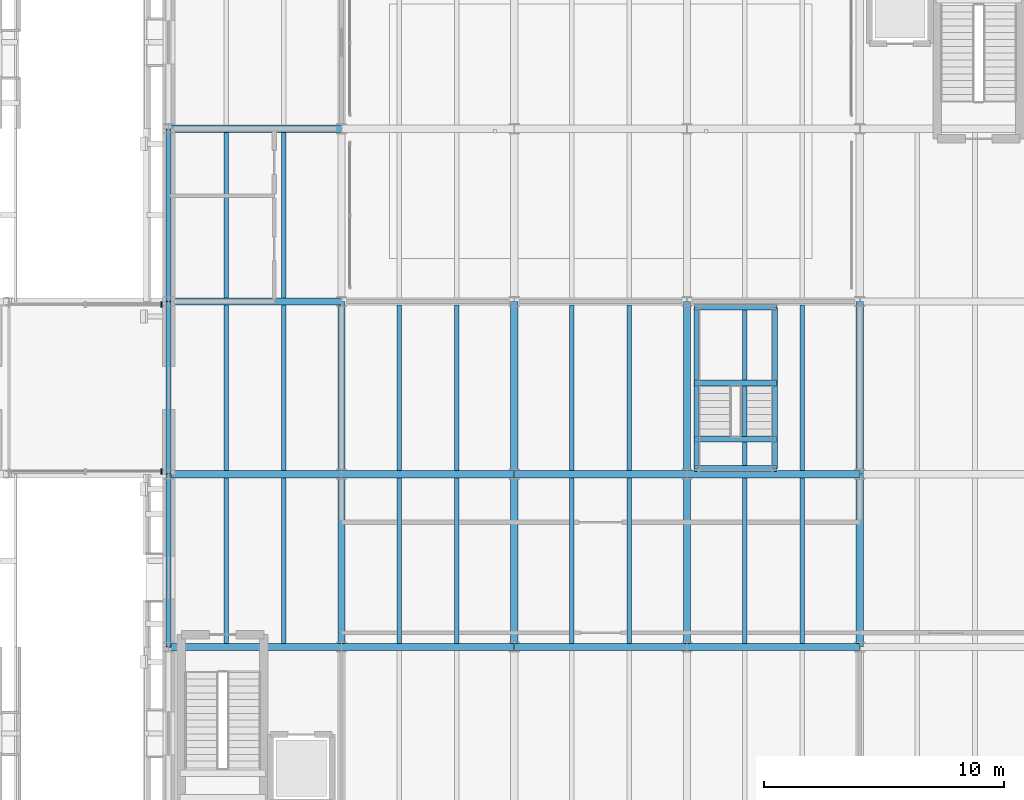
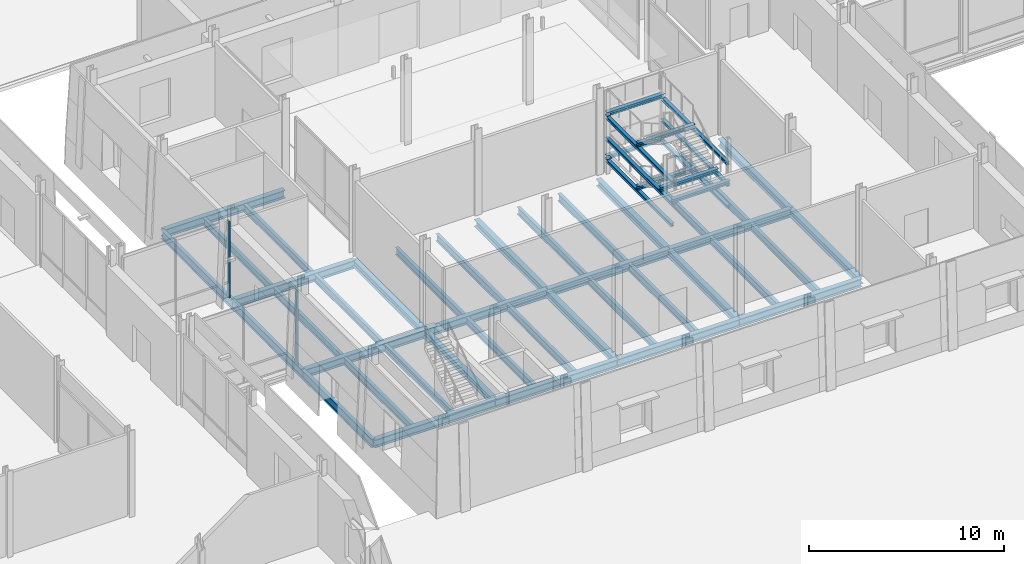
# One storey, part 33 of 120: 51 beams, 2 members, 2 elements without a shape of their own.
"""IFC4 building model written with IfcOpenShell, lengths in metres."""

from ifc_helpers import new_model, si_unit, direction, frame, origin, origin_2d, place, context, subcontext, project, spatial, rectangle, i_section, extrude, material, layer, layer_set, material_profile, profile_set, type_object, element, aggregate, save


model = new_model("IFC4")

# Units and contexts
model_context = context("Model", 3, precision=1e-05, world=origin(), true_north=direction((0.0, 1.0)))
body_context = subcontext(model_context, "Body", "Model", "MODEL_VIEW")
ifc_project = project(units=[si_unit("LENGTHUNIT", "METRE"), si_unit("AREAUNIT", "SQUARE_METRE"), si_unit("VOLUMEUNIT", "CUBIC_METRE"), si_unit("PLANEANGLEUNIT", "RADIAN"), si_unit("MASSUNIT", "GRAM", prefix="KILO")], contexts=[model_context])

# Site, building, storey
site_placement = place(None, origin())
site = spatial("IfcSite", under=ifc_project, at=site_placement, CompositionType="ELEMENT")
building_placement = place(site_placement, origin())
building = spatial("IfcBuilding", under=site, at=building_placement, Name="Narikvali Park Central Library", CompositionType="ELEMENT")
storey_placement = place(building_placement, origin())
storey = spatial("IfcBuildingStorey", under=building, at=storey_placement, Name="L00", CompositionType="ELEMENT", Elevation=0.0)

# Beams
ifc_material_1 = material(Name="Steel S355", Category="steel")
ifc_material_profile_1 = material_profile(ifc_material_1, i_section(OverallWidth=0.19189453125, OverallDepth=0.4560546875, WebThickness=0.010986328125, FlangeThickness=0.017578125, FilletRadius=0.02099609375, at=origin_2d()), Name="IPEO 450")
ifc_profile_set_1 = profile_set([ifc_material_profile_1], Name="Steel S355")
beam_type_1 = type_object("IfcBeamType", Name="Concourse Floor Joist IPEO450", PredefinedType="JOIST", material=ifc_profile_set_1)
for number, where, z_axis, x_axis, name in (
    (1, (67.199951171875, 64.949951171875, -0.548095703125), (0.0, 1.0, 0.0), (-1.0, 0.0, 0.0), "V1 L00 Composite Joist 1"),
    (2, (69.60009765625, 64.949951171875, -0.548095703125), (0.0, 1.0, 0.0), (-1.0, 0.0, 0.0), "V1 L00 Composite Joist 2"),
    (3, (67.199951171875, 72.14990234375, -0.548095703125), (0.0, 1.0, 0.0), (-1.0, 0.0, 0.0), "V1 L00 Composite Joist 1"),
    (4, (69.60009765625, 72.14990234375, -0.548095703125), (0.0, 1.0, 0.0), (-1.0, 0.0, 0.0), "V1 L00 Composite Joist 2"),
):
    element("IfcBeam", number, at=place(storey_placement, frame(where, z_axis=z_axis, x_axis=x_axis)), inside=storey, type_object=beam_type_1, Name=name, PredefinedType="JOIST", context=body_context, shape_type="SweptSolid", body=[
        extrude(i_section(OverallWidth=0.19189453125, OverallDepth=0.4560546875, WebThickness=0.010986328125, FlangeThickness=0.017578125, FilletRadius=0.02099609375, at=origin_2d()), origin(), (0.0, 0.0, 1.0), 6.900146484375),
    ])
for number, where, z_axis, x_axis, name in (
    (5, (67.199951171875, 79.35009765625, -0.548095703125), (0.0, 1.0, 0.0), (-1.0, 0.0, 0.0), "V1 L00 Composite Joist 1"),
    (6, (69.60009765625, 79.35009765625, -0.548095703125), (0.0, 1.0, 0.0), (-1.0, 0.0, 0.0), "V1 L00 Composite Joist 2"),
):
    element("IfcBeam", number, at=place(storey_placement, frame(where, z_axis=z_axis, x_axis=x_axis)), inside=storey, type_object=beam_type_1, Name=name, PredefinedType="JOIST", context=body_context, shape_type="SweptSolid", body=[
        extrude(i_section(OverallWidth=0.19189453125, OverallDepth=0.4560546875, WebThickness=0.010986328125, FlangeThickness=0.017578125, FilletRadius=0.02099609375, at=origin_2d()), origin(), (0.0, 0.0, 1.0), 6.89990234375),
    ])
for number, where, z_axis, x_axis, name in (
    (7, (74.39990234375, 64.949951171875, -0.548095703125), (0.0, 1.0, 0.0), (-1.0, 0.0, 0.0), "V1 L00 Composite Joist 1"),
    (8, (76.800048828125, 64.949951171875, -0.548095703125), (0.0, 1.0, 0.0), (-1.0, 0.0, 0.0), "V1 L00 Composite Joist 2"),
    (9, (74.39990234375, 72.14990234375, -0.548095703125), (0.0, 1.0, 0.0), (-1.0, 0.0, 0.0), "V1 L00 Composite Joist 1"),
    (10, (76.800048828125, 72.14990234375, -0.548095703125), (0.0, 1.0, 0.0), (-1.0, 0.0, 0.0), "V1 L00 Composite Joist 2"),
    (11, (81.60009765625, 64.949951171875, -0.548095703125), (0.0, 1.0, 0.0), (-1.0, 0.0, 0.0), "V1 L00 Composite Joist 1"),
    (12, (84.0, 64.949951171875, -0.548095703125), (0.0, 1.0, 0.0), (-1.0, 0.0, 0.0), "V1 L00 Composite Joist 2"),
    (13, (81.60009765625, 72.14990234375, -0.548095703125), (0.0, 1.0, 0.0), (-1.0, 0.0, 0.0), "V1 L00 Composite Joist 1"),
    (14, (84.0, 72.14990234375, -0.548095703125), (0.0, 1.0, 0.0), (-1.0, 0.0, 0.0), "V1 L00 Composite Joist 2"),
    (15, (88.800048828125, 64.949951171875, -0.548095703125), (0.0, 1.0, 0.0), (-1.0, 0.0, 0.0), "V1 L00 Composite Joist 1"),
    (16, (91.199951171875, 64.949951171875, -0.548095703125), (0.0, 1.0, 0.0), (-1.0, 0.0, 0.0), "V1 L00 Composite Joist 2"),
    (17, (88.800048828125, 72.14990234375, -0.548095703125), (0.0, 1.0, 0.0), (-1.0, 0.0, 0.0), "V1 L00 Composite Joist 1"),
    (18, (91.199951171875, 72.14990234375, -0.548095703125), (0.0, 1.0, 0.0), (-1.0, 0.0, 0.0), "V1 L00 Composite Joist 2"),
):
    element("IfcBeam", number, at=place(storey_placement, frame(where, z_axis=z_axis, x_axis=x_axis)), inside=storey, type_object=beam_type_1, Name=name, PredefinedType="JOIST", context=body_context, shape_type="SweptSolid", body=[
        extrude(i_section(OverallWidth=0.19189453125, OverallDepth=0.4560546875, WebThickness=0.010986328125, FlangeThickness=0.017578125, FilletRadius=0.02099609375, at=origin_2d()), origin(), (0.0, 0.0, 1.0), 6.900146484375),
    ])

# Curtain wall, member
ifc_material_2 = material(Name="Anodised Bronze Aluminium", Category="aluminium")
ifc_layer = layer(ifc_material_2, 0.219970703125, Name="Anodised Bronze Aluminium")
ifc_layer_set = layer_set([ifc_layer], Name="Anodised Bronze Aluminium")
curtain_wall_type = type_object("IfcCurtainWallType", Name="Bridge Covered Passage Glazing System", PredefinedType="NOTDEFINED", material=ifc_layer_set)
curtain_wall_1_placement = place(storey_placement, origin())
curtain_wall_1 = element("IfcCurtainWall", 19, at=curtain_wall_1_placement, inside=storey, type_object=curtain_wall_type, Name="Bridge Covered Passage Glazing System CW-BRG-2-L00-S1", PredefinedType="NOTDEFINED")
ifc_material_profile_2 = material_profile(ifc_material_2, rectangle(XDim=0.074951171875, YDim=0.219970703125, at=origin_2d()), Name="CW MULLION 75x220")
ifc_profile_set_2 = profile_set([ifc_material_profile_2], Name="Anodised Bronze Aluminium")
member_type = type_object("IfcMemberType", Name="Curtain Wall Heavy Mullion 75x220", PredefinedType="MULLION", material=ifc_profile_set_2)
member_1_placement = place(storey_placement, frame((64.5, 72.1201171875, -0.010009765625), z_axis=(0.0, 0.0, 1.0), x_axis=(1.0, 0.0, 0.0)))
member_1 = element("IfcMember", 20, at=member_1_placement, type_object=member_type, Name="CW-BRG-2-L00-S1 Mullion 02", PredefinedType="MULLION", context=body_context, shape_type="SweptSolid", body=[
    extrude(rectangle(XDim=0.074951171875, YDim=0.219970703125, at=origin_2d()), origin(), (0.0, 0.0, 1.0), 4.760009765625),
])
aggregate(curtain_wall_1, [member_1])

curtain_wall_2_placement = place(storey_placement, origin())
curtain_wall_2 = element("IfcCurtainWall", 21, at=curtain_wall_2_placement, inside=storey, type_object=curtain_wall_type, Name="Bridge Covered Passage Glazing System CW-BRG-2-L00-N1", PredefinedType="NOTDEFINED")
member_2_placement = place(storey_placement, frame((64.5, 79.080078125, -0.010009765625), z_axis=(0.0, 0.0, 1.0), x_axis=(1.0, 0.0, 0.0)))
member_2 = element("IfcMember", 22, at=member_2_placement, type_object=member_type, Name="CW-BRG-2-L00-N1 Mullion 02", PredefinedType="MULLION", context=body_context, shape_type="SweptSolid", body=[
    extrude(rectangle(XDim=0.074951171875, YDim=0.219970703125, at=origin_2d()), origin(), (0.0, 0.0, 1.0), 4.760009765625),
])
aggregate(curtain_wall_2, [member_2])

# Beams
ifc_material_profile_3 = material_profile(ifc_material_1, i_section(OverallWidth=0.2099609375, OverallDepth=0.550048828125, WebThickness=0.010986328125, FlangeThickness=0.01708984375, FilletRadius=0.02392578125, at=origin_2d()), Name="IPE 550")
ifc_profile_set_3 = profile_set([ifc_material_profile_3], Name="Steel S355")
beam_type_2 = type_object("IfcBeamType", Name="Perimeter Spandrel IPE550", PredefinedType="SPANDREL", material=ifc_profile_set_3)
for number, where, z_axis, x_axis, name in (
    (23, (64.800048828125, 64.80810546875, -0.594970703125), (0.0, 1.0, 0.0), (-1.0, 0.0, 0.0), "V1 L00 Girder Y"),
    (24, (64.800048828125, 72.008056640625, -0.594970703125), (0.0, 1.0, 0.0), (-1.0, 0.0, 0.0), "V1 L00 Girder Y"),
):
    element("IfcBeam", number, at=place(storey_placement, frame(where, z_axis=z_axis, x_axis=x_axis)), inside=storey, type_object=beam_type_2, Name=name, PredefinedType="SPANDREL", context=body_context, shape_type="SweptSolid", body=[
        extrude(i_section(OverallWidth=0.2099609375, OverallDepth=0.550048828125, WebThickness=0.010986328125, FlangeThickness=0.01708984375, FilletRadius=0.02392578125, at=origin_2d()), origin(), (0.0, 0.0, 1.0), 7.183837890625),
    ])
beam_placement = place(storey_placement, frame((64.800048828125, 79.2080078125, -0.594970703125), z_axis=(0.0, 1.0, 0.0), x_axis=(-1.0, 0.0, 0.0)))
element("IfcBeam", 25, at=beam_placement, inside=storey, type_object=beam_type_2, Name="V1 L00 Girder Y", PredefinedType="SPANDREL", context=body_context, shape_type="SweptSolid", body=[
    extrude(i_section(OverallWidth=0.2099609375, OverallDepth=0.550048828125, WebThickness=0.010986328125, FlangeThickness=0.01708984375, FilletRadius=0.02392578125, at=origin_2d()), origin(), (0.0, 0.0, 1.0), 7.18408203125),
])
ifc_material_profile_4 = material_profile(ifc_material_1, i_section(OverallWidth=0.239990234375, OverallDepth=0.22998046875, WebThickness=0.007568359375, FlangeThickness=0.011962890625, FilletRadius=0.02099609375, at=origin_2d()), Name="HEA 240")
ifc_profile_set_4 = profile_set([ifc_material_profile_4], Name="Steel S355")
beam_type_3 = type_object("IfcBeamType", Name="Primary Girder HEA240", PredefinedType="BEAM", material=ifc_profile_set_4)
for number, where, z_axis, x_axis, name in (
    (26, (86.719970703125, 75.804931640625, 1.034912109375), (1.0, 0.0, 0.0), (0.0, 1.0, 0.0), "ST-13 Landing Trimmer 1-1"),
    (27, (86.719970703125, 78.9599609375, 1.034912109375), (1.0, 0.0, 0.0), (0.0, 1.0, 0.0), "ST-13 Landing Trimmer 1-2"),
    (28, (86.719970703125, 72.239990234375, 2.385009765625), (1.0, 0.0, 0.0), (0.0, 1.0, 0.0), "ST-13 Landing Trimmer 2-1"),
    (29, (86.719970703125, 73.4599609375, 2.385009765625), (1.0, 0.0, 0.0), (0.0, 1.0, 0.0), "ST-13 Landing Trimmer 2-2"),
    (30, (86.719970703125, 75.804931640625, 3.735107421875), (1.0, 0.0, 0.0), (0.0, 1.0, 0.0), "ST-13 Landing Trimmer 3-1"),
    (31, (86.719970703125, 78.9599609375, 3.735107421875), (1.0, 0.0, 0.0), (0.0, 1.0, 0.0), "ST-13 Landing Trimmer 3-2"),
):
    element("IfcBeam", number, at=place(storey_placement, frame(where, z_axis=z_axis, x_axis=x_axis)), inside=storey, type_object=beam_type_3, Name=name, PredefinedType="BEAM", context=body_context, shape_type="SweptSolid", body=[
        extrude(i_section(OverallWidth=0.239990234375, OverallDepth=0.22998046875, WebThickness=0.007568359375, FlangeThickness=0.011962890625, FilletRadius=0.02099609375, at=origin_2d()), origin(), (0.0, 0.0, 1.0), 3.409912109375),
    ])
ifc_material_profile_5 = material_profile(ifc_material_1, i_section(OverallWidth=0.300048828125, OverallDepth=0.43994140625, WebThickness=0.011474609375, FlangeThickness=0.02099609375, FilletRadius=0.027099609375, at=origin_2d()), Name="HEA 450")
ifc_profile_set_5 = profile_set([ifc_material_profile_5], Name="Steel S355")
beam_type_4 = type_object("IfcBeamType", Name="Primary Girder HEA450", PredefinedType="BEAM", material=ifc_profile_set_5)
for number, where, z_axis, x_axis, name in (
    (32, (72.0, 64.80810546875, -0.5400390625), (0.0, 1.0, 0.0), (-1.0, 0.0, 0.0), "V1 L00 Girder Y"),
    (33, (72.0, 72.008056640625, -0.5400390625), (0.0, 1.0, 0.0), (-1.0, 0.0, 0.0), "V1 L00 Girder Y"),
    (34, (79.199951171875, 64.80810546875, -0.5400390625), (0.0, 1.0, 0.0), (-1.0, 0.0, 0.0), "V1 L00 Girder Y"),
    (35, (79.199951171875, 72.008056640625, -0.5400390625), (0.0, 1.0, 0.0), (-1.0, 0.0, 0.0), "V1 L00 Girder Y"),
    (36, (86.39990234375, 64.80810546875, -0.5400390625), (0.0, 1.0, 0.0), (-1.0, 0.0, 0.0), "V1 L00 Girder Y"),
    (37, (86.39990234375, 72.008056640625, -0.5400390625), (0.0, 1.0, 0.0), (-1.0, 0.0, 0.0), "V1 L00 Girder Y"),
    (38, (93.60009765625, 64.80810546875, -0.5400390625), (0.0, 1.0, 0.0), (-1.0, 0.0, 0.0), "V1 L00 Girder Y"),
    (39, (93.60009765625, 72.008056640625, -0.5400390625), (0.0, 1.0, 0.0), (-1.0, 0.0, 0.0), "V1 L00 Girder Y"),
):
    element("IfcBeam", number, at=place(storey_placement, frame(where, z_axis=z_axis, x_axis=x_axis)), inside=storey, type_object=beam_type_4, Name=name, PredefinedType="BEAM", context=body_context, shape_type="SweptSolid", body=[
        extrude(i_section(OverallWidth=0.300048828125, OverallDepth=0.43994140625, WebThickness=0.011474609375, FlangeThickness=0.02099609375, FilletRadius=0.027099609375, at=origin_2d()), origin(), (0.0, 0.0, 1.0), 7.183837890625),
    ])
ifc_material_profile_6 = material_profile(ifc_material_1, i_section(OverallWidth=0.300048828125, OverallDepth=0.5, WebThickness=0.014404296875, FlangeThickness=0.028076171875, FilletRadius=0.027099609375, at=origin_2d()), Name="HEB 500")
ifc_profile_set_6 = profile_set([ifc_material_profile_6], Name="Steel S355")
beam_type_5 = type_object("IfcBeamType", Name="Reading Void Girder HEB500", PredefinedType="BEAM", material=ifc_profile_set_6)
for number, where, z_axis, x_axis, name in (
    (40, (64.80810546875, 64.800048828125, -0.570068359375), (1.0, 0.0, 0.0), (0.0, 1.0, 0.0), "V1 L00 Girder X"),
    (41, (72.008056640625, 64.800048828125, -0.570068359375), (1.0, 0.0, 0.0), (0.0, 1.0, 0.0), "V1 L00 Girder X"),
):
    element("IfcBeam", number, at=place(storey_placement, frame(where, z_axis=z_axis, x_axis=x_axis)), inside=storey, type_object=beam_type_5, Name=name, PredefinedType="BEAM", context=body_context, shape_type="SweptSolid", body=[
        extrude(i_section(OverallWidth=0.300048828125, OverallDepth=0.5, WebThickness=0.014404296875, FlangeThickness=0.028076171875, FilletRadius=0.027099609375, at=origin_2d()), origin(), (0.0, 0.0, 1.0), 7.183837890625),
    ])
for number, where, z_axis, x_axis, name in (
    (42, (79.2080078125, 64.800048828125, -0.570068359375), (1.0, 0.0, 0.0), (0.0, 1.0, 0.0), "V1 L00 Girder X"),
    (43, (86.407958984375, 64.800048828125, -0.570068359375), (1.0, 0.0, 0.0), (0.0, 1.0, 0.0), "V1 L00 Girder X"),
):
    element("IfcBeam", number, at=place(storey_placement, frame(where, z_axis=z_axis, x_axis=x_axis)), inside=storey, type_object=beam_type_5, Name=name, PredefinedType="BEAM", context=body_context, shape_type="SweptSolid", body=[
        extrude(i_section(OverallWidth=0.300048828125, OverallDepth=0.5, WebThickness=0.014404296875, FlangeThickness=0.028076171875, FilletRadius=0.027099609375, at=origin_2d()), origin(), (0.0, 0.0, 1.0), 7.18408203125),
    ])
for number, where, z_axis, x_axis, name in (
    (44, (64.80810546875, 72.0, -0.570068359375), (1.0, 0.0, 0.0), (0.0, 1.0, 0.0), "V1 L00 Girder X"),
    (45, (72.008056640625, 72.0, -0.570068359375), (1.0, 0.0, 0.0), (0.0, 1.0, 0.0), "V1 L00 Girder X"),
):
    element("IfcBeam", number, at=place(storey_placement, frame(where, z_axis=z_axis, x_axis=x_axis)), inside=storey, type_object=beam_type_5, Name=name, PredefinedType="BEAM", context=body_context, shape_type="SweptSolid", body=[
        extrude(i_section(OverallWidth=0.300048828125, OverallDepth=0.5, WebThickness=0.014404296875, FlangeThickness=0.028076171875, FilletRadius=0.027099609375, at=origin_2d()), origin(), (0.0, 0.0, 1.0), 7.183837890625),
    ])
for number, where, z_axis, x_axis, name in (
    (46, (79.2080078125, 72.0, -0.570068359375), (1.0, 0.0, 0.0), (0.0, 1.0, 0.0), "V1 L00 Girder X"),
    (47, (86.407958984375, 72.0, -0.570068359375), (1.0, 0.0, 0.0), (0.0, 1.0, 0.0), "V1 L00 Girder X"),
):
    element("IfcBeam", number, at=place(storey_placement, frame(where, z_axis=z_axis, x_axis=x_axis)), inside=storey, type_object=beam_type_5, Name=name, PredefinedType="BEAM", context=body_context, shape_type="SweptSolid", body=[
        extrude(i_section(OverallWidth=0.300048828125, OverallDepth=0.5, WebThickness=0.014404296875, FlangeThickness=0.028076171875, FilletRadius=0.027099609375, at=origin_2d()), origin(), (0.0, 0.0, 1.0), 7.18408203125),
    ])
for number, where, z_axis, x_axis, name in (
    (48, (64.80810546875, 79.199951171875, -0.570068359375), (1.0, 0.0, 0.0), (0.0, 1.0, 0.0), "V1 L00 Girder X"),
    (49, (64.80810546875, 86.39990234375, -0.570068359375), (1.0, 0.0, 0.0), (0.0, 1.0, 0.0), "V1 L00 Girder X"),
):
    element("IfcBeam", number, at=place(storey_placement, frame(where, z_axis=z_axis, x_axis=x_axis)), inside=storey, type_object=beam_type_5, Name=name, PredefinedType="BEAM", context=body_context, shape_type="SweptSolid", body=[
        extrude(i_section(OverallWidth=0.300048828125, OverallDepth=0.5, WebThickness=0.014404296875, FlangeThickness=0.028076171875, FilletRadius=0.027099609375, at=origin_2d()), origin(), (0.0, 0.0, 1.0), 7.183837890625),
    ])
ifc_material_profile_7 = material_profile(ifc_material_1, i_section(OverallWidth=0.199951171875, OverallDepth=0.18994140625, WebThickness=0.006591796875, FlangeThickness=0.010009765625, FilletRadius=0.01806640625, at=origin_2d()), Name="HEA 200")
ifc_profile_set_7 = profile_set([ifc_material_profile_7], Name="Steel S355")
beam_type_6 = type_object("IfcBeamType", Name="Stair Landing Trimmer HEA200", PredefinedType="BEAM", material=ifc_profile_set_7)
for number, where, z_axis, x_axis, name in (
    (50, (86.780029296875, 72.239990234375, 0.824951171875), (0.0, 1.0, 0.0), (-1.0, 0.0, 0.0), "ST-13 Longitudinal Stringer W (+1.35)"),
    (51, (86.780029296875, 72.239990234375, 2.175048828125), (0.0, 1.0, 0.0), (-1.0, 0.0, 0.0), "ST-13 Longitudinal Stringer W (+2.70)"),
    (52, (86.780029296875, 72.239990234375, 3.52490234375), (0.0, 1.0, 0.0), (-1.0, 0.0, 0.0), "ST-13 Longitudinal Stringer W (+4.05)"),
    (53, (90.070068359375, 72.239990234375, 0.824951171875), (0.0, 1.0, 0.0), (-1.0, 0.0, 0.0), "ST-13 Longitudinal Stringer E (+1.35)"),
    (54, (90.070068359375, 72.239990234375, 2.175048828125), (0.0, 1.0, 0.0), (-1.0, 0.0, 0.0), "ST-13 Longitudinal Stringer E (+2.70)"),
    (55, (90.070068359375, 72.239990234375, 3.52490234375), (0.0, 1.0, 0.0), (-1.0, 0.0, 0.0), "ST-13 Longitudinal Stringer E (+4.05)"),
):
    element("IfcBeam", number, at=place(storey_placement, frame(where, z_axis=z_axis, x_axis=x_axis)), inside=storey, type_object=beam_type_6, Name=name, PredefinedType="BEAM", context=body_context, shape_type="SweptSolid", body=[
        extrude(i_section(OverallWidth=0.199951171875, OverallDepth=0.18994140625, WebThickness=0.006591796875, FlangeThickness=0.010009765625, FilletRadius=0.01806640625, at=origin_2d()), origin(), (0.0, 0.0, 1.0), 6.719970703125),
    ])

save(model, "model.ifc")
